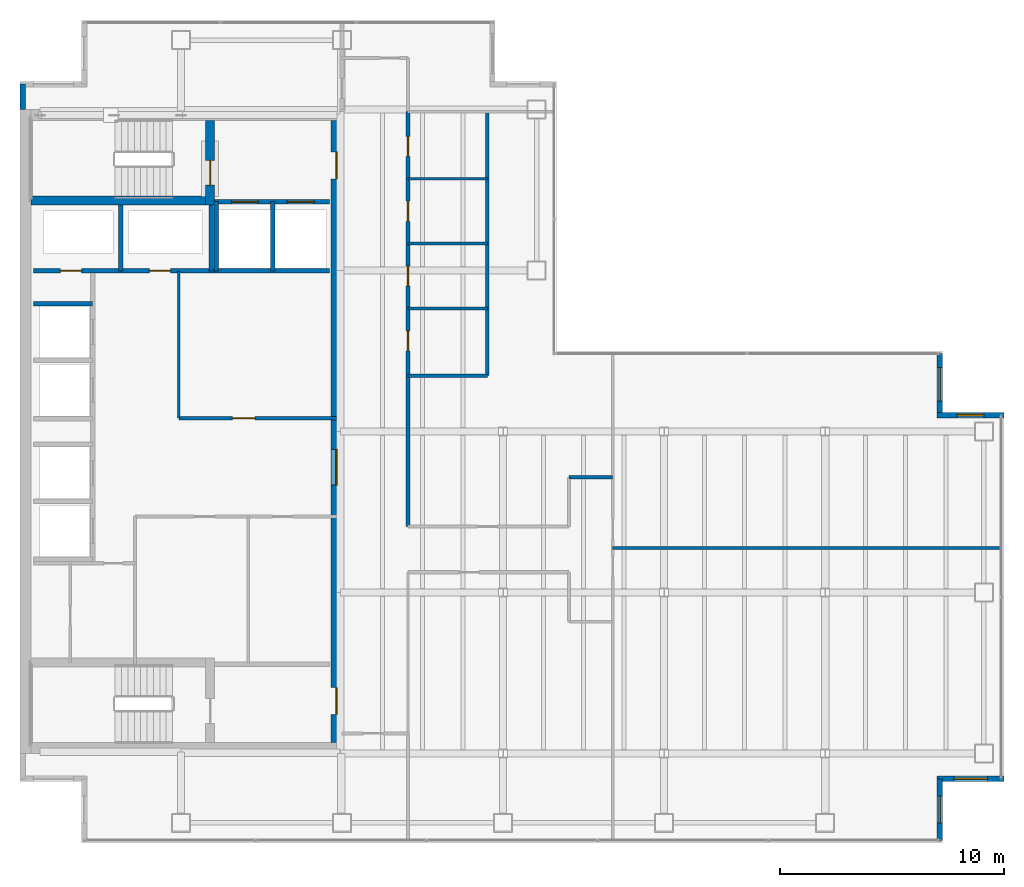
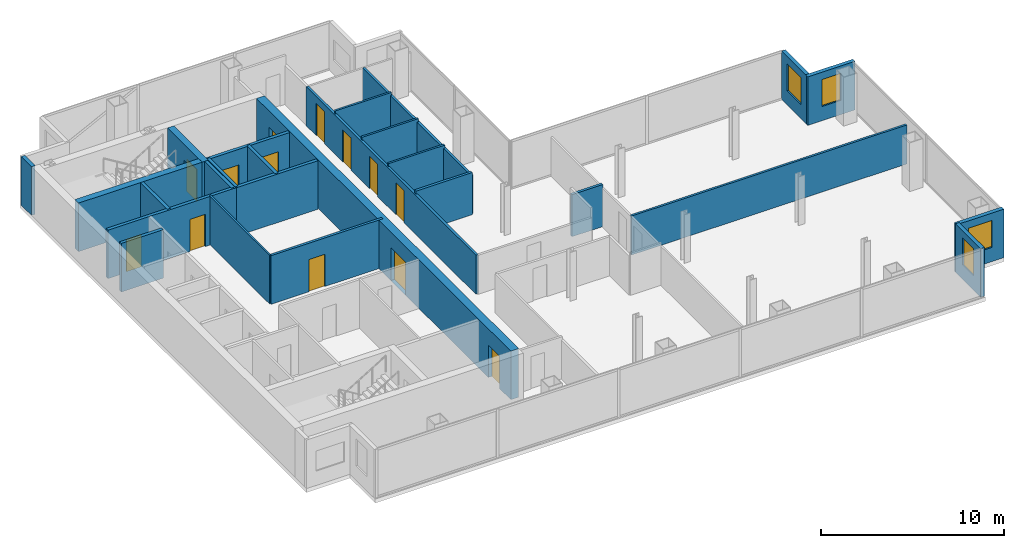
# One storey, part 21 of 23: 26 walls, 13 doors, 4 windows, 17 openings.
"""IFC4 building model written with IfcOpenShell, lengths in metres."""

from ifc_helpers import new_model, si_unit, direction, frame, frame_2d, origin, place, context, subcontext, project, spatial, rectangle, extrude, material, layer, layer_set, type_object, element, fill, save


model = new_model("IFC4")

# Units and contexts
model_context = context("Model", 3, precision=1e-05, world=origin(), true_north=direction((0.0, 1.0)))
body_context = subcontext(model_context, "Body", "Model", "MODEL_VIEW")
ifc_project = project(units=[si_unit("LENGTHUNIT", "METRE"), si_unit("AREAUNIT", "SQUARE_METRE"), si_unit("VOLUMEUNIT", "CUBIC_METRE"), si_unit("PLANEANGLEUNIT", "RADIAN"), si_unit("MASSUNIT", "GRAM", prefix="KILO")], contexts=[model_context])

# Site, building, storey
site_placement = place(None, origin())
site = spatial("IfcSite", under=ifc_project, at=site_placement, CompositionType="ELEMENT")
building_placement = place(site_placement, origin())
building = spatial("IfcBuilding", under=site, at=building_placement, Name="Cobrela Telecom Tower", CompositionType="ELEMENT")
storey_placement = place(building_placement, frame((0.0, 0.0, 183.75)))
storey = spatial("IfcBuildingStorey", under=building, at=storey_placement, Name="L46", CompositionType="ELEMENT", Elevation=183.75)

# Wall, openings, doors
ifc_material_1 = material(Name="Concrete C40/50", Category="concrete")
ifc_layer_1 = layer(ifc_material_1, 0.5)
ifc_layer_set_1 = layer_set([ifc_layer_1], Name="Concrete C40/50")
wall_type_1 = type_object("IfcWallType", Name="WALL-CORE-C40-500", PredefinedType="SHEAR", material=ifc_layer_set_1)
wall_1_placement = place(storey_placement, frame((14.14990234375, 35.5, 0.0), z_axis=(0.0, 0.0, 1.0), x_axis=(0.0, -1.0, 0.0)))
wall_1 = element("IfcWall", 1, at=wall_1_placement, inside=storey, type_object=wall_type_1, Name="L46 East Core Shear Wall", PredefinedType="SHEAR", context=body_context, shape_type="SweptSolid", body=[
    extrude(rectangle(XDim=27.800048828125, YDim=0.5, at=frame_2d((13.89990234375, 0.0))), origin(), (0.0, 0.0, 1.0), 3.239990234375),
])
opening_1_placement = place(wall_1_placement, frame((1.39990234375, 0.0, 0.0)))
opening_1 = element("IfcOpeningElement", 2, at=opening_1_placement, cuts=wall_1, Name="Opening DR-19", PredefinedType="OPENING", context=body_context, shape_type="SweptSolid", body=[
    extrude(rectangle(XDim=1.199951171875, YDim=2.14990234375, at=frame_2d((0.60009765625, 1.074951171875))), frame((0.0, 0.261962890625, 0.0), z_axis=(0.0, -1.0, 0.0), x_axis=(1.0, 0.0, 0.0)), (0.0, 0.0, 1.0), 0.52392578125),
])
opening_2_placement = place(wall_1_placement, frame((25.35009765625, 0.0, 0.0)))
opening_2 = element("IfcOpeningElement", 3, at=opening_2_placement, cuts=wall_1, Name="Opening DR-19", PredefinedType="OPENING", context=body_context, shape_type="SweptSolid", body=[
    extrude(rectangle(XDim=1.199951171875, YDim=2.14990234375, at=frame_2d((0.60009765625, 1.074951171875))), frame((0.0, 0.261962890625, 0.0), z_axis=(0.0, -1.0, 0.0), x_axis=(1.0, 0.0, 0.0)), (0.0, 0.0, 1.0), 0.52392578125),
])
opening_3_placement = place(wall_1_placement, frame((14.699951171875, 0.0, 0.0)))
opening_3 = element("IfcOpeningElement", 4, at=opening_3_placement, cuts=wall_1, Name="Opening DR-51", PredefinedType="OPENING", context=body_context, shape_type="SweptSolid", body=[
    extrude(rectangle(XDim=1.60009765625, YDim=2.199951171875, at=frame_2d((0.800048828125, 1.10009765625))), frame((0.0, 0.261962890625, 0.0), z_axis=(0.0, -1.0, 0.0), x_axis=(1.0, 0.0, 0.0)), (0.0, 0.0, 1.0), 0.52392578125),
])
ifc_material_2 = material(Name="Steel ASTM A36", Category="steel")
door_type_1 = type_object("IfcDoorType", Name="DOOR-FD60-1200", OperationType="SINGLE_SWING_LEFT", PredefinedType="DOOR", material=ifc_material_2)
door_1_placement = place(opening_1_placement, origin())
door_1 = element("IfcDoor", 5, at=door_1_placement, inside=storey, type_object=door_type_1, Name="L46 Door DR-19", OperationType="SINGLE_SWING_LEFT", OverallHeight=2.14990234375, OverallWidth=1.199951171875, PredefinedType="DOOR", context=body_context, shape_type="SweptSolid", body=[
    extrude(rectangle(XDim=1.199951171875, YDim=2.14990234375, at=frame_2d((0.60009765625, 1.074951171875))), frame((0.0, 0.02490234375, 0.0), z_axis=(0.0, -1.0, 0.0), x_axis=(1.0, 0.0, 0.0)), (0.0, 0.0, 1.0), 0.050048828125),
])
fill(opening_1, door_1)
door_2_placement = place(opening_2_placement, origin())
door_2 = element("IfcDoor", 6, at=door_2_placement, inside=storey, type_object=door_type_1, Name="L46 Door DR-19", OperationType="SINGLE_SWING_RIGHT", OverallHeight=2.14990234375, OverallWidth=1.199951171875, PredefinedType="DOOR", context=body_context, shape_type="SweptSolid", body=[
    extrude(rectangle(XDim=1.199951171875, YDim=2.14990234375, at=frame_2d((0.60009765625, 1.074951171875))), frame((0.0, 0.02490234375, 0.0), z_axis=(0.0, -1.0, 0.0), x_axis=(1.0, 0.0, 0.0)), (0.0, 0.0, 1.0), 0.050048828125),
])
fill(opening_2, door_2)
door_type_2 = type_object("IfcDoorType", Name="DOOR-FD60-1600", OperationType="SINGLE_SWING_LEFT", PredefinedType="DOOR", material=ifc_material_2)
door_3_placement = place(opening_3_placement, origin())
door_3 = element("IfcDoor", 7, at=door_3_placement, inside=storey, type_object=door_type_2, Name="L46 Door DR-51", OperationType="DOUBLE_DOOR_SINGLE_SWING", OverallHeight=2.199951171875, OverallWidth=1.60009765625, PredefinedType="DOOR", context=body_context, shape_type="SweptSolid", body=[
    extrude(rectangle(XDim=1.60009765625, YDim=2.199951171875, at=frame_2d((0.800048828125, 1.10009765625))), frame((0.0, 0.02490234375, 0.0), z_axis=(0.0, -1.0, 0.0), x_axis=(1.0, 0.0, 0.0)), (0.0, 0.0, 1.0), 0.050048828125),
])
fill(opening_3, door_3)

# Wall
ifc_layer_2 = layer(ifc_material_1, 0.239990234375)
ifc_layer_set_2 = layer_set([ifc_layer_2], Name="Concrete C40/50")
wall_type_2 = type_object("IfcWallType", Name="WALL-EXT-300", PredefinedType="STANDARD", material=ifc_layer_set_2)
wall_2_placement = place(storey_placement, frame((0.1201171875, 36.0, 0.0), z_axis=(0.0, 0.0, 1.0), x_axis=(0.0, 1.0, 0.0)))
element("IfcWall", 8, at=wall_2_placement, inside=storey, type_object=wall_type_2, Name="L46 Insulated Facade Wall 04", PredefinedType="STANDARD", context=body_context, shape_type="SweptSolid", body=[
    extrude(rectangle(XDim=1.1298828125, YDim=0.239990234375, at=frame_2d((0.56494140625, 0.0))), origin(), (0.0, 0.0, 1.0), 3.239990234375),
])

# Wall, opening, window
wall_3_placement = place(storey_placement, frame((41.1298828125, 25.080078125, 0.0), z_axis=(0.0, 0.0, 1.0), x_axis=(0.0, -1.0, 0.0)))
wall_3 = element("IfcWall", 9, at=wall_3_placement, inside=storey, type_object=wall_type_2, Name="L46 Insulated Facade Wall 12", PredefinedType="STANDARD", context=body_context, shape_type="SweptSolid", body=[
    extrude(rectangle(XDim=2.75, YDim=0.239990234375, at=frame_2d((1.375, 0.0))), origin(), (0.0, 0.0, 1.0), 3.239990234375),
])
opening_4_placement = place(wall_3_placement, frame((0.625, 0.0, 0.949951171875)))
opening_4 = element("IfcOpeningElement", 10, at=opening_4_placement, cuts=wall_3, Name="Opening WN-45", PredefinedType="OPENING", context=body_context, shape_type="SweptSolid", body=[
    extrude(rectangle(XDim=1.5, YDim=1.800048828125, at=frame_2d((0.75, 0.89990234375))), frame((0.0, 0.1318359375, 0.0), z_axis=(0.0, -1.0, 0.0), x_axis=(1.0, 0.0, 0.0)), (0.0, 0.0, 1.0), 0.263916015625),
])
ifc_material_3 = material(Name="Solar-Control Bronze Low-E Glass", Category="glass")
window_type_1 = type_object("IfcWindowType", Name="WIN-MOD-1500", PartitioningType="SINGLE_PANEL", PredefinedType="WINDOW", material=ifc_material_3)
window_1_placement = place(opening_4_placement, origin())
window_1 = element("IfcWindow", 11, at=window_1_placement, inside=storey, type_object=window_type_1, Name="L46 Corner Notch Facade Window 225", OverallHeight=1.800048828125, OverallWidth=1.5, PartitioningType="SINGLE_PANEL", PredefinedType="WINDOW", context=body_context, shape_type="SweptSolid", body=[
    extrude(rectangle(XDim=1.5, YDim=1.800048828125, at=frame_2d((0.75, 0.89990234375))), frame((0.0, 0.030029296875, 0.0), z_axis=(0.0, -1.0, 0.0), x_axis=(1.0, 0.0, 0.0)), (0.0, 0.0, 1.0), 0.06005859375),
])
fill(opening_4, window_1)

wall_4_placement = place(storey_placement, frame((41.010009765625, 22.330078125, 0.0), z_axis=(0.0, 0.0, 1.0), x_axis=(1.0, 0.0, 0.0)))
wall_4 = element("IfcWall", 12, at=wall_4_placement, inside=storey, type_object=wall_type_2, Name="L46 Insulated Facade Wall 13", PredefinedType="STANDARD", context=body_context, shape_type="SweptSolid", body=[
    extrude(rectangle(XDim=2.989990234375, YDim=0.239990234375, at=frame_2d((1.4951171875, 0.0))), origin(), (0.0, 0.0, 1.0), 3.239990234375),
])
opening_5_placement = place(wall_4_placement, frame((0.89501953125, 0.0, 0.949951171875)))
opening_5 = element("IfcOpeningElement", 13, at=opening_5_placement, cuts=wall_4, Name="Opening WN-19", PredefinedType="OPENING", context=body_context, shape_type="SweptSolid", body=[
    extrude(rectangle(XDim=1.199951171875, YDim=1.800048828125, at=frame_2d((0.60009765625, 0.89990234375))), frame((0.0, 0.1318359375, 0.0), z_axis=(0.0, -1.0, 0.0), x_axis=(1.0, 0.0, 0.0)), (0.0, 0.0, 1.0), 0.263916015625),
])
window_type_2 = type_object("IfcWindowType", Name="WIN-MOD-1200", PartitioningType="SINGLE_PANEL", PredefinedType="WINDOW", material=ifc_material_3)
window_2_placement = place(opening_5_placement, origin())
window_2 = element("IfcWindow", 14, at=window_2_placement, inside=storey, type_object=window_type_2, Name="L46 Corner Notch Facade Window 226", OverallHeight=1.800048828125, OverallWidth=1.199951171875, PartitioningType="SINGLE_PANEL", PredefinedType="WINDOW", context=body_context, shape_type="SweptSolid", body=[
    extrude(rectangle(XDim=1.199951171875, YDim=1.800048828125, at=frame_2d((0.60009765625, 0.89990234375))), frame((0.0, 0.030029296875, 0.0), z_axis=(0.0, -1.0, 0.0), x_axis=(1.0, 0.0, 0.0)), (0.0, 0.0, 1.0), 0.06005859375),
])
fill(opening_5, window_2)

wall_5_placement = place(storey_placement, frame((44.0, 6.070068359375, 0.0), z_axis=(0.0, 0.0, 1.0), x_axis=(-1.0, 0.0, 0.0)))
wall_5 = element("IfcWall", 15, at=wall_5_placement, inside=storey, type_object=wall_type_2, Name="L46 Insulated Facade Wall 15", PredefinedType="STANDARD", context=body_context, shape_type="SweptSolid", body=[
    extrude(rectangle(XDim=2.989990234375, YDim=0.239990234375, at=frame_2d((1.4951171875, 0.0))), origin(), (0.0, 0.0, 1.0), 3.239990234375),
])
opening_6_placement = place(wall_5_placement, frame((0.7451171875, 0.0, 0.949951171875)))
opening_6 = element("IfcOpeningElement", 16, at=opening_6_placement, cuts=wall_5, Name="Opening WN-45", PredefinedType="OPENING", context=body_context, shape_type="SweptSolid", body=[
    extrude(rectangle(XDim=1.5, YDim=1.800048828125, at=frame_2d((0.75, 0.89990234375))), frame((0.0, 0.1318359375, 0.0), z_axis=(0.0, -1.0, 0.0), x_axis=(1.0, 0.0, 0.0)), (0.0, 0.0, 1.0), 0.263916015625),
])
window_3_placement = place(opening_6_placement, origin())
window_3 = element("IfcWindow", 17, at=window_3_placement, inside=storey, type_object=window_type_1, Name="L46 Corner Notch Facade Window 227", OverallHeight=1.800048828125, OverallWidth=1.5, PartitioningType="SINGLE_PANEL", PredefinedType="WINDOW", context=body_context, shape_type="SweptSolid", body=[
    extrude(rectangle(XDim=1.5, YDim=1.800048828125, at=frame_2d((0.75, 0.89990234375))), frame((0.0, 0.030029296875, 0.0), z_axis=(0.0, -1.0, 0.0), x_axis=(1.0, 0.0, 0.0)), (0.0, 0.0, 1.0), 0.06005859375),
])
fill(opening_6, window_3)

wall_6_placement = place(storey_placement, frame((41.1298828125, 6.070068359375, 0.0), z_axis=(0.0, 0.0, 1.0), x_axis=(0.0, -1.0, 0.0)))
wall_6 = element("IfcWall", 18, at=wall_6_placement, inside=storey, type_object=wall_type_2, Name="L46 Insulated Facade Wall 16", PredefinedType="STANDARD", context=body_context, shape_type="SweptSolid", body=[
    extrude(rectangle(XDim=2.75, YDim=0.239990234375, at=frame_2d((1.375, 0.0))), origin(), (0.0, 0.0, 1.0), 3.239990234375),
])
opening_7_placement = place(wall_6_placement, frame((0.77490234375, 0.0, 0.949951171875)))
opening_7 = element("IfcOpeningElement", 19, at=opening_7_placement, cuts=wall_6, Name="Opening WN-19", PredefinedType="OPENING", context=body_context, shape_type="SweptSolid", body=[
    extrude(rectangle(XDim=1.199951171875, YDim=1.800048828125, at=frame_2d((0.60009765625, 0.89990234375))), frame((0.0, 0.1318359375, 0.0), z_axis=(0.0, -1.0, 0.0), x_axis=(1.0, 0.0, 0.0)), (0.0, 0.0, 1.0), 0.263916015625),
])
window_4_placement = place(opening_7_placement, origin())
window_4 = element("IfcWindow", 20, at=window_4_placement, inside=storey, type_object=window_type_2, Name="L46 Corner Notch Facade Window 228", OverallHeight=1.800048828125, OverallWidth=1.199951171875, PartitioningType="SINGLE_PANEL", PredefinedType="WINDOW", context=body_context, shape_type="SweptSolid", body=[
    extrude(rectangle(XDim=1.199951171875, YDim=1.800048828125, at=frame_2d((0.60009765625, 0.89990234375))), frame((0.0, 0.030029296875, 0.0), z_axis=(0.0, -1.0, 0.0), x_axis=(1.0, 0.0, 0.0)), (0.0, 0.0, 1.0), 0.06005859375),
])
fill(opening_7, window_4)

# Walls
ifc_material_4 = material(Name="Fire-Rated Gypsum Plasterboard")
ifc_layer_3 = layer(ifc_material_4, 0.110107421875)
ifc_layer_set_3 = layer_set([ifc_layer_3], Name="Fire-Rated Gypsum Plasterboard")
wall_type_3 = type_object("IfcWallType", Name="WALL-PART-110", PredefinedType="PARTITIONING", material=ifc_layer_set_3)
wall_7_placement = place(storey_placement, frame((7.10009765625, 22.199951171875, 0.0), z_axis=(0.0, 0.0, 1.0), x_axis=(0.0, 1.0, 0.0)))
element("IfcWall", 21, at=wall_7_placement, inside=storey, type_object=wall_type_3, Name="L46 Interior Partition CW-RECL-W", PredefinedType="PARTITIONING", context=body_context, shape_type="SweptSolid", body=[
    extrude(rectangle(XDim=6.580078125, YDim=0.110107421875, at=frame_2d((3.2900390625, 0.0))), origin(), (0.0, 0.0, 1.0), 3.239990234375),
])
ifc_layer_4 = layer(ifc_material_4, 0.125)
ifc_layer_set_4 = layer_set([ifc_layer_4], Name="Fire-Rated Gypsum Plasterboard")
wall_type_4 = type_object("IfcWallType", Name="WALL-PART-125", PredefinedType="PARTITIONING", material=ifc_layer_set_4)
for number, where, z_axis, x_axis, name in (
    (22, (17.35009765625, 27.10009765625, 0.0), (0.0, 0.0, 1.0), (1.0, 0.0, 0.0), "L46 Interior Partition W-WCD-1"),
    (23, (17.35009765625, 30.0, 0.0), (0.0, 0.0, 1.0), (1.0, 0.0, 0.0), "L46 Interior Partition W-WCD-2"),
    (24, (17.35009765625, 32.89990234375, 0.0), (0.0, 0.0, 1.0), (1.0, 0.0, 0.0), "L46 Interior Partition W-WCD-3"),
):
    element("IfcWall", number, at=place(storey_placement, frame(where, z_axis=z_axis, x_axis=x_axis)), inside=storey, type_object=wall_type_4, Name=name, PredefinedType="PARTITIONING", context=body_context, shape_type="SweptSolid", body=[
        extrude(rectangle(XDim=3.5498046875, YDim=0.125, at=frame_2d((1.77490234375, 0.0))), origin(), (0.0, 0.0, 1.0), 2.80810546875),
    ])
ifc_layer_5 = layer(ifc_material_4, 0.135009765625)
ifc_layer_set_5 = layer_set([ifc_layer_5], Name="Fire-Rated Gypsum Plasterboard")
wall_type_5 = type_object("IfcWallType", Name="WALL-PART-135", PredefinedType="PARTITIONING", material=ifc_layer_set_5)
wall_8_placement = place(storey_placement, frame((26.5, 16.39990234375, 0.0), z_axis=(0.0, 0.0, 1.0), x_axis=(1.0, 0.0, 0.0)))
element("IfcWall", 25, at=wall_8_placement, inside=storey, type_object=wall_type_5, Name="L46 Interior Partition W-FE-H", PredefinedType="PARTITIONING", context=body_context, shape_type="SweptSolid", body=[
    extrude(rectangle(XDim=17.3798828125, YDim=0.135009765625, at=frame_2d((8.68994140625, 0.0))), origin(), (0.0, 0.0, 1.0), 2.60302734375),
])
ifc_layer_6 = layer(ifc_material_4, 0.14990234375)
ifc_layer_set_6 = layer_set([ifc_layer_6], Name="Fire-Rated Gypsum Plasterboard")
wall_type_6 = type_object("IfcWallType", Name="WALL-PART-150", PredefinedType="PARTITIONING", material=ifc_layer_set_6)
wall_9_placement = place(storey_placement, frame((20.89990234375, 24.10009765625, 0.0), z_axis=(0.0, 0.0, 1.0), x_axis=(0.0, 1.0, 0.0)))
element("IfcWall", 26, at=wall_9_placement, inside=storey, type_object=wall_type_6, Name="L46 Interior Partition W-WC-E", PredefinedType="PARTITIONING", context=body_context, shape_type="SweptSolid", body=[
    extrude(rectangle(XDim=11.7998046875, YDim=0.14990234375, at=frame_2d((5.89990234375, 0.0))), origin(), (0.0, 0.0, 1.0), 2.60302734375),
])

# Wall, opening, door
ifc_layer_7 = layer(ifc_material_4, 0.159912109375)
ifc_layer_set_7 = layer_set([ifc_layer_7], Name="Fire-Rated Gypsum Plasterboard")
wall_type_7 = type_object("IfcWallType", Name="WALL-PART-160", PredefinedType="PARTITIONING", material=ifc_layer_set_7)
wall_10_placement = place(storey_placement, frame((7.10009765625, 22.199951171875, 0.0), z_axis=(0.0, 0.0, 1.0), x_axis=(1.0, 0.0, 0.0)))
wall_10 = element("IfcWall", 27, at=wall_10_placement, inside=storey, type_object=wall_type_7, Name="L46 Interior Partition CW-RECL-S", PredefinedType="PARTITIONING", context=body_context, shape_type="SweptSolid", body=[
    extrude(rectangle(XDim=7.0498046875, YDim=0.159912109375, at=frame_2d((3.52490234375, 0.0))), origin(), (0.0, 0.0, 1.0), 3.239990234375),
])
opening_8_placement = place(wall_10_placement, frame((2.39990234375, 0.0, 0.0)))
opening_8 = element("IfcOpeningElement", 28, at=opening_8_placement, cuts=wall_10, Name="Opening DR-31", PredefinedType="OPENING", context=body_context, shape_type="SweptSolid", body=[
    extrude(rectangle(XDim=1.0, YDim=2.14990234375, at=frame_2d((0.5, 1.074951171875))), frame((0.0, 0.091796875, 0.0), z_axis=(0.0, -1.0, 0.0), x_axis=(1.0, 0.0, 0.0)), (0.0, 0.0, 1.0), 0.183837890625),
])
ifc_material_5 = material(Name="Solid Engineered Oak Timber", Category="wood")
door_type_3 = type_object("IfcDoorType", Name="DOOR-INT-1000", OperationType="SINGLE_SWING_LEFT", PredefinedType="DOOR", material=ifc_material_5)
door_4_placement = place(opening_8_placement, origin())
door_4 = element("IfcDoor", 29, at=door_4_placement, inside=storey, type_object=door_type_3, Name="L46 Door DR-31", OperationType="SINGLE_SWING_LEFT", OverallHeight=2.14990234375, OverallWidth=1.0, PredefinedType="DOOR", context=body_context, shape_type="SweptSolid", body=[
    extrude(rectangle(XDim=1.0, YDim=2.14990234375, at=frame_2d((0.5, 1.074951171875))), frame((0.0, 0.02490234375, 0.0), z_axis=(0.0, -1.0, 0.0), x_axis=(1.0, 0.0, 0.0)), (0.0, 0.0, 1.0), 0.050048828125),
])
fill(opening_8, door_4)

# Wall, openings, doors
wall_11_placement = place(storey_placement, frame((17.35009765625, 17.35009765625, 0.0), z_axis=(0.0, 0.0, 1.0), x_axis=(0.0, 1.0, 0.0)))
wall_11 = element("IfcWall", 30, at=wall_11_placement, inside=storey, type_object=wall_type_7, Name="L46 Interior Partition W-C-E2", PredefinedType="PARTITIONING", context=body_context, shape_type="SweptSolid", body=[
    extrude(rectangle(XDim=18.5498046875, YDim=0.159912109375, at=frame_2d((9.27490234375, 0.0))), origin(), (0.0, 0.0, 1.0), 2.60302734375),
])
opening_9_placement = place(wall_11_placement, frame((7.85009765625, 0.0, 0.0)))
opening_9 = element("IfcOpeningElement", 31, at=opening_9_placement, cuts=wall_11, Name="Opening DR-41", PredefinedType="OPENING", context=body_context, shape_type="SweptSolid", body=[
    extrude(rectangle(XDim=0.89990234375, YDim=2.14990234375, at=frame_2d((0.449951171875, 1.074951171875))), frame((0.0, 0.091796875, 0.0), z_axis=(0.0, -1.0, 0.0), x_axis=(1.0, 0.0, 0.0)), (0.0, 0.0, 1.0), 0.183837890625),
])
opening_10_placement = place(wall_11_placement, frame((10.75, 0.0, 0.0)))
opening_10 = element("IfcOpeningElement", 32, at=opening_10_placement, cuts=wall_11, Name="Opening DR-41", PredefinedType="OPENING", context=body_context, shape_type="SweptSolid", body=[
    extrude(rectangle(XDim=0.89990234375, YDim=2.14990234375, at=frame_2d((0.449951171875, 1.074951171875))), frame((0.0, 0.091796875, 0.0), z_axis=(0.0, -1.0, 0.0), x_axis=(1.0, 0.0, 0.0)), (0.0, 0.0, 1.0), 0.183837890625),
])
opening_11_placement = place(wall_11_placement, frame((13.64990234375, 0.0, 0.0)))
opening_11 = element("IfcOpeningElement", 33, at=opening_11_placement, cuts=wall_11, Name="Opening DR-41", PredefinedType="OPENING", context=body_context, shape_type="SweptSolid", body=[
    extrude(rectangle(XDim=0.89990234375, YDim=2.14990234375, at=frame_2d((0.449951171875, 1.074951171875))), frame((0.0, 0.091796875, 0.0), z_axis=(0.0, -1.0, 0.0), x_axis=(1.0, 0.0, 0.0)), (0.0, 0.0, 1.0), 0.183837890625),
])
opening_12_placement = place(wall_11_placement, frame((16.550048828125, 0.0, 0.0)))
opening_12 = element("IfcOpeningElement", 34, at=opening_12_placement, cuts=wall_11, Name="Opening DR-41", PredefinedType="OPENING", context=body_context, shape_type="SweptSolid", body=[
    extrude(rectangle(XDim=0.89990234375, YDim=2.14990234375, at=frame_2d((0.449951171875, 1.074951171875))), frame((0.0, 0.091796875, 0.0), z_axis=(0.0, -1.0, 0.0), x_axis=(1.0, 0.0, 0.0)), (0.0, 0.0, 1.0), 0.183837890625),
])
door_type_4 = type_object("IfcDoorType", Name="DOOR-INT-900", OperationType="SINGLE_SWING_LEFT", PredefinedType="DOOR", material=ifc_material_5)
door_5_placement = place(opening_9_placement, origin())
door_5 = element("IfcDoor", 35, at=door_5_placement, inside=storey, type_object=door_type_4, Name="L46 Door DR-41", OperationType="SINGLE_SWING_LEFT", OverallHeight=2.14990234375, OverallWidth=0.89990234375, PredefinedType="DOOR", context=body_context, shape_type="SweptSolid", body=[
    extrude(rectangle(XDim=0.89990234375, YDim=2.14990234375, at=frame_2d((0.449951171875, 1.074951171875))), frame((0.0, 0.02490234375, 0.0), z_axis=(0.0, -1.0, 0.0), x_axis=(1.0, 0.0, 0.0)), (0.0, 0.0, 1.0), 0.050048828125),
])
fill(opening_9, door_5)
door_6_placement = place(opening_10_placement, origin())
door_6 = element("IfcDoor", 36, at=door_6_placement, inside=storey, type_object=door_type_4, Name="L46 Door DR-41", OperationType="SINGLE_SWING_RIGHT", OverallHeight=2.14990234375, OverallWidth=0.89990234375, PredefinedType="DOOR", context=body_context, shape_type="SweptSolid", body=[
    extrude(rectangle(XDim=0.89990234375, YDim=2.14990234375, at=frame_2d((0.449951171875, 1.074951171875))), frame((0.0, 0.02490234375, 0.0), z_axis=(0.0, -1.0, 0.0), x_axis=(1.0, 0.0, 0.0)), (0.0, 0.0, 1.0), 0.050048828125),
])
fill(opening_10, door_6)
door_7_placement = place(opening_11_placement, origin())
door_7 = element("IfcDoor", 37, at=door_7_placement, inside=storey, type_object=door_type_4, Name="L46 Door DR-41", OperationType="SINGLE_SWING_LEFT", OverallHeight=2.14990234375, OverallWidth=0.89990234375, PredefinedType="DOOR", context=body_context, shape_type="SweptSolid", body=[
    extrude(rectangle(XDim=0.89990234375, YDim=2.14990234375, at=frame_2d((0.449951171875, 1.074951171875))), frame((0.0, 0.02490234375, 0.0), z_axis=(0.0, -1.0, 0.0), x_axis=(1.0, 0.0, 0.0)), (0.0, 0.0, 1.0), 0.050048828125),
])
fill(opening_11, door_7)
door_8_placement = place(opening_12_placement, origin())
door_8 = element("IfcDoor", 38, at=door_8_placement, inside=storey, type_object=door_type_4, Name="L46 Door DR-41", OperationType="SINGLE_SWING_RIGHT", OverallHeight=2.14990234375, OverallWidth=0.89990234375, PredefinedType="DOOR", context=body_context, shape_type="SweptSolid", body=[
    extrude(rectangle(XDim=0.89990234375, YDim=2.14990234375, at=frame_2d((0.449951171875, 1.074951171875))), frame((0.0, 0.02490234375, 0.0), z_axis=(0.0, -1.0, 0.0), x_axis=(1.0, 0.0, 0.0)), (0.0, 0.0, 1.0), 0.050048828125),
])
fill(opening_12, door_8)

# Walls
wall_12_placement = place(storey_placement, frame((24.550048828125, 19.550048828125, 0.0), z_axis=(0.0, 0.0, 1.0), x_axis=(1.0, 0.0, 0.0)))
element("IfcWall", 39, at=wall_12_placement, inside=storey, type_object=wall_type_7, Name="L46 Interior Partition W-CT-N", PredefinedType="PARTITIONING", context=body_context, shape_type="SweptSolid", body=[
    extrude(rectangle(XDim=1.949951171875, YDim=0.159912109375, at=frame_2d((0.97509765625, 0.0))), origin(), (0.0, 0.0, 1.0), 2.80810546875),
])
wall_13_placement = place(storey_placement, frame((17.35009765625, 24.10009765625, 0.0), z_axis=(0.0, 0.0, 1.0), x_axis=(1.0, 0.0, 0.0)))
element("IfcWall", 40, at=wall_13_placement, inside=storey, type_object=wall_type_7, Name="L46 Interior Partition W-WC-S", PredefinedType="PARTITIONING", context=body_context, shape_type="SweptSolid", body=[
    extrude(rectangle(XDim=3.5498046875, YDim=0.159912109375, at=frame_2d((1.77490234375, 0.0))), origin(), (0.0, 0.0, 1.0), 2.80810546875),
])

# Wall, openings, doors
ifc_layer_8 = layer(ifc_material_4, 0.199951171875)
ifc_layer_set_8 = layer_set([ifc_layer_8], Name="Fire-Rated Gypsum Plasterboard")
wall_type_8 = type_object("IfcWallType", Name="WALL-SHAFT-200", PredefinedType="PARTITIONING", material=ifc_layer_set_8)
wall_14_placement = place(storey_placement, frame((8.699951171875, 31.8798828125, 0.0), z_axis=(0.0, 0.0, 1.0), x_axis=(1.0, 0.0, 0.0)))
wall_14 = element("IfcWall", 41, at=wall_14_placement, inside=storey, type_object=wall_type_8, Name="L46 Shaft Enclosure CW-FFL-S", PredefinedType="PARTITIONING", context=body_context, shape_type="SweptSolid", body=[
    extrude(rectangle(XDim=5.150146484375, YDim=0.199951171875, at=frame_2d((2.5751953125, 0.0))), origin(), (0.0, 0.0, 1.0), 3.239990234375),
])
opening_13_placement = place(wall_14_placement, frame((0.75, 0.0, 0.0)))
opening_13 = element("IfcOpeningElement", 42, at=opening_13_placement, cuts=wall_14, Name="Opening LD-2", PredefinedType="OPENING", context=body_context, shape_type="SweptSolid", body=[
    extrude(rectangle(XDim=1.199951171875, YDim=2.199951171875, at=frame_2d((0.60009765625, 1.10009765625))), frame((0.0, 0.11181640625, 0.0), z_axis=(0.0, -1.0, 0.0), x_axis=(1.0, 0.0, 0.0)), (0.0, 0.0, 1.0), 0.223876953125),
])
opening_14_placement = place(wall_14_placement, frame((3.25, 0.0, 0.0)))
opening_14 = element("IfcOpeningElement", 43, at=opening_14_placement, cuts=wall_14, Name="Opening LD-2", PredefinedType="OPENING", context=body_context, shape_type="SweptSolid", body=[
    extrude(rectangle(XDim=1.199951171875, YDim=2.199951171875, at=frame_2d((0.60009765625, 1.10009765625))), frame((0.0, 0.11181640625, 0.0), z_axis=(0.0, -1.0, 0.0), x_axis=(1.0, 0.0, 0.0)), (0.0, 0.0, 1.0), 0.223876953125),
])
door_type_5 = type_object("IfcDoorType", Name="DOOR-LD-FFL", OperationType="SINGLE_SWING_LEFT", PredefinedType="DOOR", material=ifc_material_2)
door_9_placement = place(opening_13_placement, origin())
door_9 = element("IfcDoor", 44, at=door_9_placement, inside=storey, type_object=door_type_5, Name="L46 Lift Landing Door LD-2", OperationType="DOUBLE_DOOR_SLIDING", OverallHeight=2.199951171875, OverallWidth=1.199951171875, PredefinedType="DOOR", context=body_context, shape_type="SweptSolid", body=[
    extrude(rectangle(XDim=1.199951171875, YDim=2.199951171875, at=frame_2d((0.60009765625, 1.10009765625))), frame((0.0, 0.02490234375, 0.0), z_axis=(0.0, -1.0, 0.0), x_axis=(1.0, 0.0, 0.0)), (0.0, 0.0, 1.0), 0.050048828125),
])
fill(opening_13, door_9)
door_10_placement = place(opening_14_placement, origin())
door_10 = element("IfcDoor", 45, at=door_10_placement, inside=storey, type_object=door_type_5, Name="L46 Lift Landing Door LD-2", OperationType="DOUBLE_DOOR_SLIDING", OverallHeight=2.199951171875, OverallWidth=1.199951171875, PredefinedType="DOOR", context=body_context, shape_type="SweptSolid", body=[
    extrude(rectangle(XDim=1.199951171875, YDim=2.199951171875, at=frame_2d((0.60009765625, 1.10009765625))), frame((0.0, 0.02490234375, 0.0), z_axis=(0.0, -1.0, 0.0), x_axis=(1.0, 0.0, 0.0)), (0.0, 0.0, 1.0), 0.050048828125),
])
fill(opening_14, door_10)

# Walls
wall_15_placement = place(storey_placement, frame((8.699951171875, 28.780029296875, 0.0), z_axis=(0.0, 0.0, 1.0), x_axis=(1.0, 0.0, 0.0)))
element("IfcWall", 46, at=wall_15_placement, inside=storey, type_object=wall_type_8, Name="L46 Shaft Enclosure CW-FFL-S2", PredefinedType="PARTITIONING", context=body_context, shape_type="SweptSolid", body=[
    extrude(rectangle(XDim=5.150146484375, YDim=0.199951171875, at=frame_2d((2.5751953125, 0.0))), origin(), (0.0, 0.0, 1.0), 3.239990234375),
])
for number, where, z_axis, x_axis, name in (
    (47, (8.780029296875, 28.780029296875, 0.0), (0.0, 0.0, 1.0), (0.0, 1.0, 0.0), "L46 Shaft Enclosure CW-FFL-W"),
    (48, (11.300048828125, 28.780029296875, 0.0), (0.0, 0.0, 1.0), (0.0, 1.0, 0.0), "L46 Shaft Enclosure CW-FFL-M"),
):
    element("IfcWall", number, at=place(storey_placement, frame(where, z_axis=z_axis, x_axis=x_axis)), inside=storey, type_object=wall_type_8, Name=name, PredefinedType="PARTITIONING", context=body_context, shape_type="SweptSolid", body=[
        extrude(rectangle(XDim=3.099853515625, YDim=0.199951171875, at=frame_2d((1.5498046875, 0.0))), origin(), (0.0, 0.0, 1.0), 3.239990234375),
    ])

# Wall, openings, doors
wall_16_placement = place(storey_placement, frame((0.60009765625, 28.780029296875, 0.0), z_axis=(0.0, 0.0, 1.0), x_axis=(1.0, 0.0, 0.0)))
wall_16 = element("IfcWall", 49, at=wall_16_placement, inside=storey, type_object=wall_type_8, Name="L46 Shaft Enclosure CW-RIS-S", PredefinedType="PARTITIONING", context=body_context, shape_type="SweptSolid", body=[
    extrude(rectangle(XDim=8.179931640625, YDim=0.199951171875, at=frame_2d((4.08984375, 0.0))), origin(), (0.0, 0.0, 1.0), 3.239990234375),
])
opening_15_placement = place(wall_16_placement, frame((1.2099609375, 0.0, 0.0)))
opening_15 = element("IfcOpeningElement", 50, at=opening_15_placement, cuts=wall_16, Name="Opening DR-65", PredefinedType="OPENING", context=body_context, shape_type="SweptSolid", body=[
    extrude(rectangle(XDim=0.949951171875, YDim=2.14990234375, at=frame_2d((0.47509765625, 1.074951171875))), frame((0.0, 0.11181640625, 0.0), z_axis=(0.0, -1.0, 0.0), x_axis=(1.0, 0.0, 0.0)), (0.0, 0.0, 1.0), 0.223876953125),
])
opening_16_placement = place(wall_16_placement, frame((5.18994140625, 0.0, 0.0)))
opening_16 = element("IfcOpeningElement", 51, at=opening_16_placement, cuts=wall_16, Name="Opening DR-65", PredefinedType="OPENING", context=body_context, shape_type="SweptSolid", body=[
    extrude(rectangle(XDim=0.949951171875, YDim=2.14990234375, at=frame_2d((0.47509765625, 1.074951171875))), frame((0.0, 0.11181640625, 0.0), z_axis=(0.0, -1.0, 0.0), x_axis=(1.0, 0.0, 0.0)), (0.0, 0.0, 1.0), 0.223876953125),
])
door_type_6 = type_object("IfcDoorType", Name="DOOR-FD60-950", OperationType="SINGLE_SWING_LEFT", PredefinedType="DOOR", material=ifc_material_2)
door_11_placement = place(opening_15_placement, origin())
door_11 = element("IfcDoor", 52, at=door_11_placement, inside=storey, type_object=door_type_6, Name="L46 Door DR-65", OperationType="SINGLE_SWING_LEFT", OverallHeight=2.14990234375, OverallWidth=0.949951171875, PredefinedType="DOOR", context=body_context, shape_type="SweptSolid", body=[
    extrude(rectangle(XDim=0.949951171875, YDim=2.14990234375, at=frame_2d((0.47509765625, 1.074951171875))), frame((0.0, 0.02490234375, 0.0), z_axis=(0.0, -1.0, 0.0), x_axis=(1.0, 0.0, 0.0)), (0.0, 0.0, 1.0), 0.050048828125),
])
fill(opening_15, door_11)
door_12_placement = place(opening_16_placement, origin())
door_12 = element("IfcDoor", 53, at=door_12_placement, inside=storey, type_object=door_type_6, Name="L46 Door DR-65", OperationType="SINGLE_SWING_RIGHT", OverallHeight=2.14990234375, OverallWidth=0.949951171875, PredefinedType="DOOR", context=body_context, shape_type="SweptSolid", body=[
    extrude(rectangle(XDim=0.949951171875, YDim=2.14990234375, at=frame_2d((0.47509765625, 1.074951171875))), frame((0.0, 0.02490234375, 0.0), z_axis=(0.0, -1.0, 0.0), x_axis=(1.0, 0.0, 0.0)), (0.0, 0.0, 1.0), 0.050048828125),
])
fill(opening_16, door_12)

# Walls
for number, where, z_axis, x_axis, name in (
    (54, (4.5, 28.780029296875, 0.0), (0.0, 0.0, 1.0), (0.0, 1.0, 0.0), "L46 Shaft Enclosure CW-RIS-M"),
    (55, (8.550048828125, 28.780029296875, 0.0), (0.0, 0.0, 1.0), (0.0, 1.0, 0.0), "L46 Shaft Enclosure CW-RIS-E"),
):
    element("IfcWall", number, at=place(storey_placement, frame(where, z_axis=z_axis, x_axis=x_axis)), inside=storey, type_object=wall_type_8, Name=name, PredefinedType="PARTITIONING", context=body_context, shape_type="SweptSolid", body=[
        extrude(rectangle(XDim=2.93994140625, YDim=0.199951171875, at=frame_2d((1.469970703125, 0.0))), origin(), (0.0, 0.0, 1.0), 3.239990234375),
    ])
wall_17_placement = place(storey_placement, frame((0.60009765625, 27.320068359375, 0.0), z_axis=(0.0, 0.0, 1.0), x_axis=(1.0, 0.0, 0.0)))
element("IfcWall", 56, at=wall_17_placement, inside=storey, type_object=wall_type_8, Name="L46 Shaft Enclosure CW-PLH-TOP", PredefinedType="PARTITIONING", context=body_context, shape_type="SweptSolid", body=[
    extrude(rectangle(XDim=2.64990234375, YDim=0.199951171875, at=frame_2d((1.324951171875, 0.0))), origin(), (0.0, 0.0, 1.0), 3.239990234375),
])
ifc_layer_9 = layer(ifc_material_1, 0.39990234375)
ifc_layer_set_9 = layer_set([ifc_layer_9], Name="Concrete C40/50")
wall_type_9 = type_object("IfcWallType", Name="WALL-SHAFT-C40-400", PredefinedType="SHEAR", material=ifc_layer_set_9)
wall_18_placement = place(storey_placement, frame((0.5, 31.919921875, 0.0), z_axis=(0.0, 0.0, 1.0), x_axis=(1.0, 0.0, 0.0)))
element("IfcWall", 57, at=wall_18_placement, inside=storey, type_object=wall_type_9, Name="L46 North Stair Shear Wall", PredefinedType="SHEAR", context=body_context, shape_type="SweptSolid", body=[
    extrude(rectangle(XDim=7.800048828125, YDim=0.39990234375, at=frame_2d((3.89990234375, 0.0))), origin(), (0.0, 0.0, 1.0), 3.239990234375),
])

# Wall, opening, door
wall_19_placement = place(storey_placement, frame((8.5, 31.719970703125, 0.0), z_axis=(0.0, 0.0, 1.0), x_axis=(0.0, 1.0, 0.0)))
wall_19 = element("IfcWall", 58, at=wall_19_placement, inside=storey, type_object=wall_type_9, Name="L46 North Stair Lobby Shear Wall", PredefinedType="SHEAR", context=body_context, shape_type="SweptSolid", body=[
    extrude(rectangle(XDim=3.780029296875, YDim=0.39990234375, at=frame_2d((1.89013671875, 0.0))), origin(), (0.0, 0.0, 1.0), 3.239990234375),
])
opening_17_placement = place(wall_19_placement, frame((0.89990234375, 0.0, 0.0)))
opening_17 = element("IfcOpeningElement", 59, at=opening_17_placement, cuts=wall_19, Name="Opening DR-59", PredefinedType="OPENING", context=body_context, shape_type="SweptSolid", body=[
    extrude(rectangle(XDim=1.10009765625, YDim=2.14990234375, at=frame_2d((0.550048828125, 1.074951171875))), frame((0.0, 0.2119140625, 0.0), z_axis=(0.0, -1.0, 0.0), x_axis=(1.0, 0.0, 0.0)), (0.0, 0.0, 1.0), 0.423828125),
])
door_type_7 = type_object("IfcDoorType", Name="DOOR-FD60-1100", OperationType="SINGLE_SWING_LEFT", PredefinedType="DOOR", material=ifc_material_2)
door_13_placement = place(opening_17_placement, origin())
door_13 = element("IfcDoor", 60, at=door_13_placement, inside=storey, type_object=door_type_7, Name="L46 Door DR-59", OperationType="SINGLE_SWING_RIGHT", OverallHeight=2.14990234375, OverallWidth=1.10009765625, PredefinedType="DOOR", context=body_context, shape_type="SweptSolid", body=[
    extrude(rectangle(XDim=1.10009765625, YDim=2.14990234375, at=frame_2d((0.550048828125, 1.074951171875))), frame((0.0, 0.02490234375, 0.0), z_axis=(0.0, -1.0, 0.0), x_axis=(1.0, 0.0, 0.0)), (0.0, 0.0, 1.0), 0.050048828125),
])
fill(opening_17, door_13)

save(model, "model.ifc")
